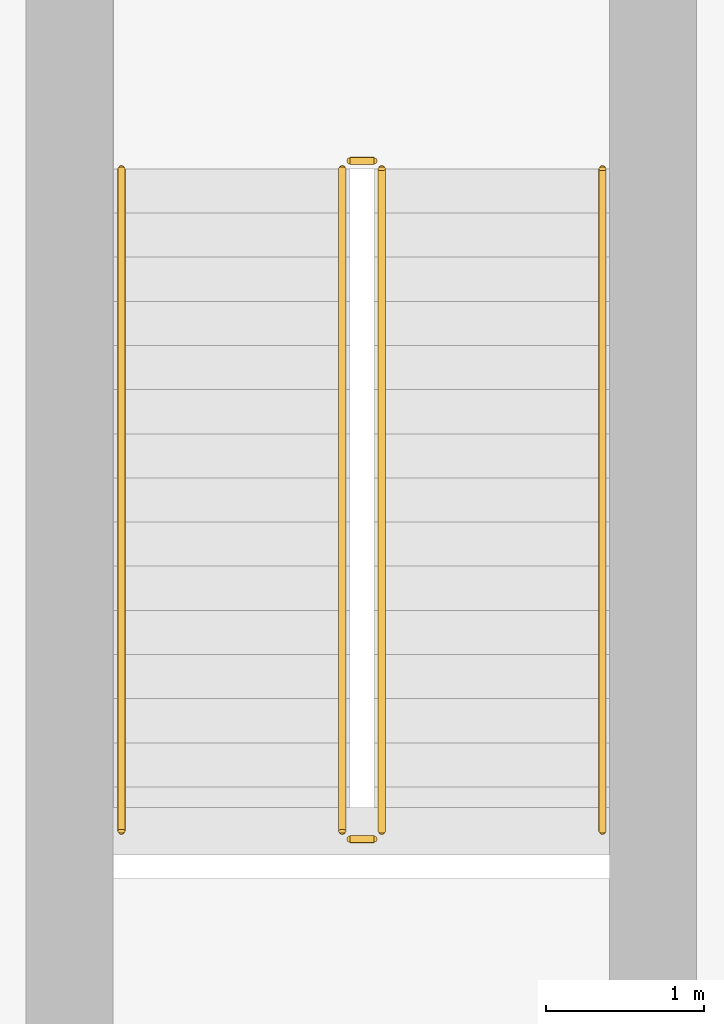
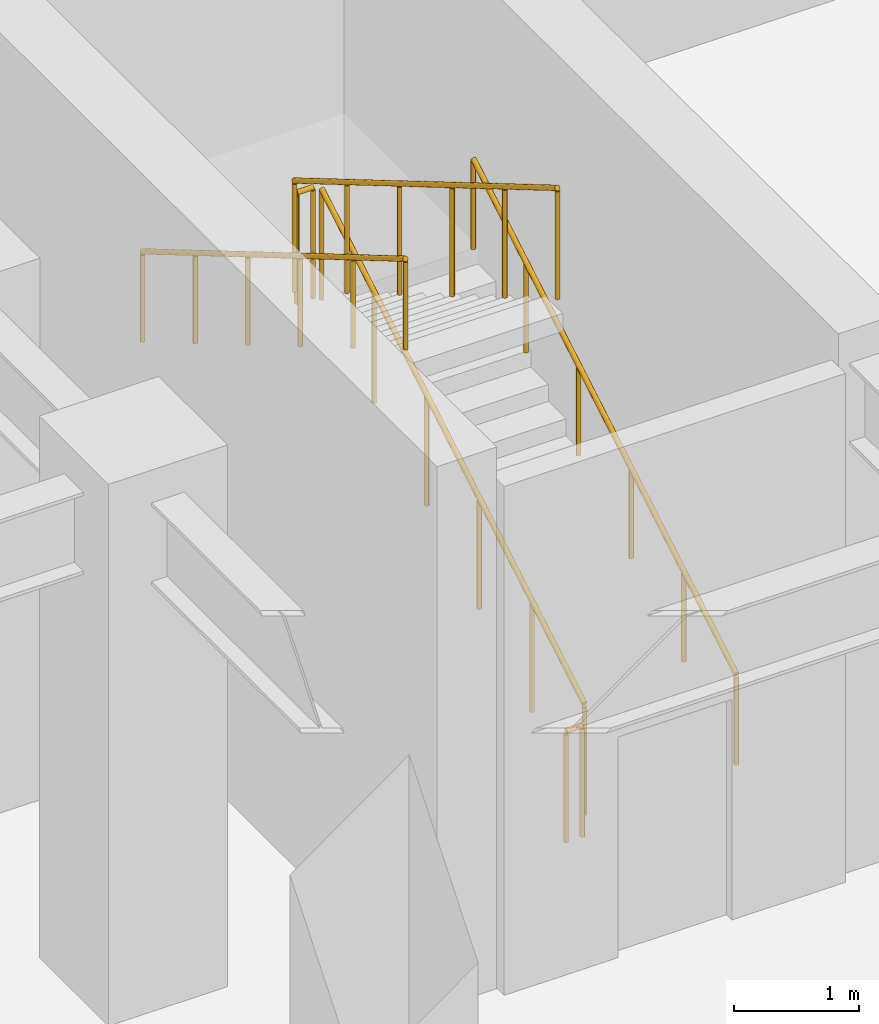
# One storey, part 16 of 20: 6 railings.
"""IFC4 building model written with IfcOpenShell, lengths in metres."""

from ifc_helpers import new_model, si_unit, direction, frame, origin, origin_2d, place, context, subcontext, project, spatial, circle, extrude, material, type_object, element, save


model = new_model("IFC4")

# Units and contexts
model_context = context("Model", 3, precision=1e-05, world=origin(), true_north=direction((0.0, 1.0)))
body_context = subcontext(model_context, "Body", "Model", "MODEL_VIEW")
ifc_project = project(units=[si_unit("LENGTHUNIT", "METRE"), si_unit("AREAUNIT", "SQUARE_METRE"), si_unit("VOLUMEUNIT", "CUBIC_METRE"), si_unit("PLANEANGLEUNIT", "RADIAN"), si_unit("MASSUNIT", "GRAM", prefix="KILO")], contexts=[model_context])

# Site, building, storey
site_placement = place(None, origin())
site = spatial("IfcSite", under=ifc_project, at=site_placement, CompositionType="ELEMENT")
building_placement = place(site_placement, origin())
building = spatial("IfcBuilding", under=site, at=building_placement, Name="Kefirva Bronze Tower", CompositionType="ELEMENT")
storey_placement = place(building_placement, frame((0.0, 0.0, 5.93994140625)))
storey = spatial("IfcBuildingStorey", under=building, at=storey_placement, Name="L01", CompositionType="ELEMENT", Elevation=5.93994140625)

# Railings
ifc_material = material(Name="Stainless steel 316", Category="steel")
railing_type_1 = type_object("IfcRailingType", Name="Interior Stair Guardrail 1100mm", PredefinedType="GUARDRAIL", material=ifc_material)
railing_1_placement = place(storey_placement, frame((53.5, 22.699951171875, 0.1650390625)))
element("IfcRailing", 1, at=railing_1_placement, inside=storey, type_object=railing_type_1, Name="L01 ST-4 stair guard 1", PredefinedType="GUARDRAIL", context=body_context, shape_type="SweptSolid", body=[
    extrude(circle(Radius=0.02392578125, at=origin_2d()), frame((0.0, 0.0, 1.076171875), z_axis=(0.0, 0.861527117747, 0.50771155727), x_axis=(-1.0, 0.0, 0.0)), (0.0, 0.0, 1.0), 4.875),
    extrude(circle(Radius=0.02099609375, at=origin_2d()), origin(), (0.0, 0.0, 1.0), 1.052001953125),
    extrude(circle(Radius=0.02099609375, at=origin_2d()), frame((0.0, 0.840087890625, 0.4951171875)), (0.0, 0.0, 1.0), 1.052001953125),
    extrude(circle(Radius=0.02099609375, at=origin_2d()), frame((0.0, 1.679931640625, 0.989990234375)), (0.0, 0.0, 1.0), 1.052001953125),
    extrude(circle(Radius=0.02099609375, at=origin_2d()), frame((0.0, 2.52001953125, 1.485107421875)), (0.0, 0.0, 1.0), 1.052001953125),
    extrude(circle(Radius=0.02099609375, at=origin_2d()), frame((0.0, 3.35986328125, 1.97998046875)), (0.0, 0.0, 1.0), 1.052001953125),
    extrude(circle(Radius=0.02099609375, at=origin_2d()), frame((0.0, 4.199951171875, 2.47509765625)), (0.0, 0.0, 1.0), 1.052001953125),
])
railing_2_placement = place(storey_placement, frame((53.449951171875, 26.949951171875, 2.64013671875)))
element("IfcRailing", 2, at=railing_2_placement, inside=storey, type_object=railing_type_1, Name="L01 ST-4 stair guard 2", PredefinedType="GUARDRAIL", context=body_context, shape_type="SweptSolid", body=[
    extrude(circle(Radius=0.02392578125, at=origin_2d()), frame((0.0, 0.0, 1.076171875), z_axis=(-1.0, 0.0, 0.0), x_axis=(0.0, -1.0, 0.0)), (0.0, 0.0, 1.0), 0.14990234375),
    extrude(circle(Radius=0.02099609375, at=origin_2d()), origin(), (0.0, 0.0, 1.0), 1.052001953125),
    extrude(circle(Radius=0.02099609375, at=origin_2d()), frame((-0.14990234375, 0.0, 0.0)), (0.0, 0.0, 1.0), 1.052001953125),
])
railing_3_placement = place(storey_placement, frame((53.25, 26.89990234375, 2.80517578125)))
element("IfcRailing", 3, at=railing_3_placement, inside=storey, type_object=railing_type_1, Name="L01 ST-4 stair guard 3", PredefinedType="GUARDRAIL", context=body_context, shape_type="SweptSolid", body=[
    extrude(circle(Radius=0.02392578125, at=origin_2d()), frame((0.0, 0.0, 1.076171875), z_axis=(0.0, -0.861549022881, 0.507674384988), x_axis=(1.0, 0.0, 0.0)), (0.0, 0.0, 1.0), 4.875),
    extrude(circle(Radius=0.02099609375, at=origin_2d()), origin(), (0.0, 0.0, 1.0), 1.052001953125),
    extrude(circle(Radius=0.02099609375, at=origin_2d()), frame((0.0, -0.840087890625, 0.494873046875)), (0.0, 0.0, 1.0), 1.052001953125),
    extrude(circle(Radius=0.02099609375, at=origin_2d()), frame((0.0, -1.679931640625, 0.989990234375)), (0.0, 0.0, 1.0), 1.052001953125),
    extrude(circle(Radius=0.02099609375, at=origin_2d()), frame((0.0, -2.52001953125, 1.48486328125)), (0.0, 0.0, 1.0), 1.052001953125),
    extrude(circle(Radius=0.02099609375, at=origin_2d()), frame((0.0, -3.35986328125, 1.97998046875)), (0.0, 0.0, 1.0), 1.052001953125),
    extrude(circle(Radius=0.02099609375, at=origin_2d()), frame((0.0, -4.199951171875, 2.474853515625)), (0.0, 0.0, 1.0), 1.052001953125),
])
railing_4_placement = place(storey_placement, frame((53.449951171875, 22.64990234375, 0.0)))
element("IfcRailing", 4, at=railing_4_placement, inside=storey, type_object=railing_type_1, Name="L01 ST-4 stair guard 4", PredefinedType="GUARDRAIL", context=body_context, shape_type="SweptSolid", body=[
    extrude(circle(Radius=0.02392578125, at=origin_2d()), frame((0.0, 0.0, 1.076171875), z_axis=(-1.0, 0.0, 0.0), x_axis=(0.0, -1.0, 0.0)), (0.0, 0.0, 1.0), 0.14990234375),
    extrude(circle(Radius=0.02099609375, at=origin_2d()), origin(), (0.0, 0.0, 1.0), 1.052001953125),
    extrude(circle(Radius=0.02099609375, at=origin_2d()), frame((-0.14990234375, 0.0, 0.0)), (0.0, 0.0, 1.0), 1.052001953125),
])
railing_type_2 = type_object("IfcRailingType", Name="Stair Pitch Handrail 900mm", PredefinedType="HANDRAIL", material=ifc_material)
railing_5_placement = place(storey_placement, frame((54.89990234375, 22.699951171875, 0.1650390625)))
element("IfcRailing", 5, at=railing_5_placement, inside=storey, type_object=railing_type_2, Name="L01 ST-4 stair handrail 1", PredefinedType="HANDRAIL", context=body_context, shape_type="SweptSolid", body=[
    extrude(circle(Radius=0.02392578125, at=origin_2d()), frame((0.0, 0.0, 0.8759765625), z_axis=(0.0, 0.861527117747, 0.50771155727), x_axis=(-1.0, 0.0, 0.0)), (0.0, 0.0, 1.0), 4.875),
    extrude(circle(Radius=0.02099609375, at=origin_2d()), origin(), (0.0, 0.0, 1.0), 0.851806640625),
    extrude(circle(Radius=0.02099609375, at=origin_2d()), frame((0.0, 0.840087890625, 0.4951171875)), (0.0, 0.0, 1.0), 0.851806640625),
    extrude(circle(Radius=0.02099609375, at=origin_2d()), frame((0.0, 1.679931640625, 0.989990234375)), (0.0, 0.0, 1.0), 0.851806640625),
    extrude(circle(Radius=0.02099609375, at=origin_2d()), frame((0.0, 2.52001953125, 1.485107421875)), (0.0, 0.0, 1.0), 0.851806640625),
    extrude(circle(Radius=0.02099609375, at=origin_2d()), frame((0.0, 3.35986328125, 1.97998046875)), (0.0, 0.0, 1.0), 0.851806640625),
    extrude(circle(Radius=0.02099609375, at=origin_2d()), frame((0.0, 4.199951171875, 2.47509765625)), (0.0, 0.0, 1.0), 0.851806640625),
])
railing_6_placement = place(storey_placement, frame((51.85009765625, 26.89990234375, 2.80517578125)))
element("IfcRailing", 6, at=railing_6_placement, inside=storey, type_object=railing_type_2, Name="L01 ST-4 stair handrail 2", PredefinedType="HANDRAIL", context=body_context, shape_type="SweptSolid", body=[
    extrude(circle(Radius=0.02392578125, at=origin_2d()), frame((0.0, 0.0, 0.8759765625), z_axis=(0.0, -0.861549022881, 0.507674384988), x_axis=(1.0, 0.0, 0.0)), (0.0, 0.0, 1.0), 4.875),
    extrude(circle(Radius=0.02099609375, at=origin_2d()), origin(), (0.0, 0.0, 1.0), 0.851806640625),
    extrude(circle(Radius=0.02099609375, at=origin_2d()), frame((0.0, -0.840087890625, 0.494873046875)), (0.0, 0.0, 1.0), 0.851806640625),
    extrude(circle(Radius=0.02099609375, at=origin_2d()), frame((0.0, -1.679931640625, 0.989990234375)), (0.0, 0.0, 1.0), 0.851806640625),
    extrude(circle(Radius=0.02099609375, at=origin_2d()), frame((0.0, -2.52001953125, 1.48486328125)), (0.0, 0.0, 1.0), 0.851806640625),
    extrude(circle(Radius=0.02099609375, at=origin_2d()), frame((0.0, -3.35986328125, 1.97998046875)), (0.0, 0.0, 1.0), 0.851806640625),
    extrude(circle(Radius=0.02099609375, at=origin_2d()), frame((0.0, -4.199951171875, 2.474853515625)), (0.0, 0.0, 1.0), 0.851806640625),
])

save(model, "model.ifc")
